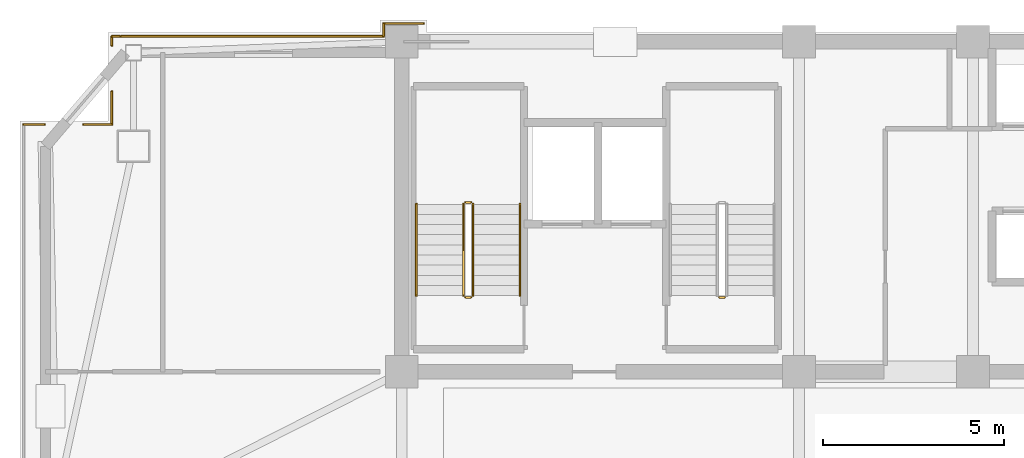
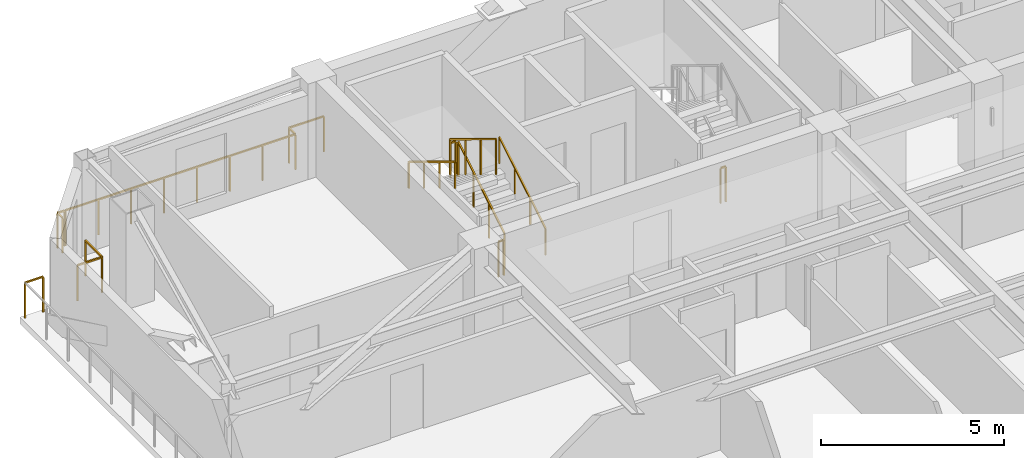
# One storey, part 13 of 15: 15 railings.
"""IFC4 building model written with IfcOpenShell, lengths in metres."""

from ifc_helpers import new_model, si_unit, direction, frame, origin, origin_2d, place, context, subcontext, project, spatial, rectangle, extrude, material, type_object, element, save


model = new_model("IFC4")

# Units and contexts
model_context = context("Model", 3, precision=1e-05, world=origin(), true_north=direction((0.0, 1.0)))
body_context = subcontext(model_context, "Body", "Model", "MODEL_VIEW")
ifc_project = project(units=[si_unit("LENGTHUNIT", "METRE"), si_unit("AREAUNIT", "SQUARE_METRE"), si_unit("VOLUMEUNIT", "CUBIC_METRE"), si_unit("PLANEANGLEUNIT", "RADIAN"), si_unit("MASSUNIT", "GRAM", prefix="KILO")], contexts=[model_context])

# Site, building, storey
site_placement = place(None, origin())
site = spatial("IfcSite", under=ifc_project, at=site_placement, CompositionType="ELEMENT")
building_placement = place(site_placement, origin())
building = spatial("IfcBuilding", under=site, at=building_placement, Name="Giltprow Tower", CompositionType="ELEMENT")
storey_placement = place(building_placement, frame((0.0, 0.0, 293.800048828125)))
storey = spatial("IfcBuildingStorey", under=building, at=storey_placement, Name="L75", CompositionType="ELEMENT", Elevation=293.800048828125)

# Railings
ifc_material = material(Name="Anodized bronze", Category="metal")
railing_type_1 = type_object("IfcRailingType", Name="RAIL-BALC-GUARD-1200", PredefinedType="BALUSTRADE", material=ifc_material)
railing_1_placement = place(storey_placement, frame((9.424072265625, 44.27001953125, 0.0)))
element("IfcRailing", 1, at=railing_1_placement, inside=storey, type_object=railing_type_1, Name="L75 Corner Apron Edge Balustrade 14", PredefinedType="BALUSTRADE", context=body_context, shape_type="SweptSolid", body=[
    extrude(rectangle(XDim=0.048095703125, YDim=0.048095703125, at=origin_2d()), frame((0.0, 0.0, 1.17578125), z_axis=(1.0, 0.0, 0.0), x_axis=(0.0, 1.0, 0.0)), (0.0, 0.0, 1.0), 0.573974609375),
    extrude(rectangle(XDim=0.0419921875, YDim=0.0419921875, at=origin_2d()), origin(), (0.0, 0.0, 1.0), 1.15185546875),
    extrude(rectangle(XDim=0.0419921875, YDim=0.0419921875, at=origin_2d()), frame((0.573974609375, 0.0, 0.0)), (0.0, 0.0, 1.0), 1.15185546875),
])
railing_2_placement = place(storey_placement, frame((11.076904296875, 44.27001953125, 0.0)))
element("IfcRailing", 2, at=railing_2_placement, inside=storey, type_object=railing_type_1, Name="L75 Corner Apron Edge Balustrade 15", PredefinedType="BALUSTRADE", context=body_context, shape_type="SweptSolid", body=[
    extrude(rectangle(XDim=0.048095703125, YDim=0.048095703125, at=origin_2d()), frame((0.0, 0.0, 1.17578125), z_axis=(1.0, 0.0, 0.0), x_axis=(0.0, 1.0, 0.0)), (0.0, 0.0, 1.0), 0.778076171875),
    extrude(rectangle(XDim=0.0419921875, YDim=0.0419921875, at=origin_2d()), origin(), (0.0, 0.0, 1.0), 1.15185546875),
    extrude(rectangle(XDim=0.0419921875, YDim=0.0419921875, at=origin_2d()), frame((0.778076171875, 0.0, 0.0)), (0.0, 0.0, 1.0), 1.15185546875),
])
railing_3_placement = place(storey_placement, frame((11.85498046875, 44.27001953125, 0.0)))
element("IfcRailing", 3, at=railing_3_placement, inside=storey, type_object=railing_type_1, Name="L75 Corner Apron Edge Balustrade 16", PredefinedType="BALUSTRADE", context=body_context, shape_type="SweptSolid", body=[
    extrude(rectangle(XDim=0.048095703125, YDim=0.048095703125, at=origin_2d()), frame((0.0, 0.0, 1.17578125), z_axis=(0.0, 1.0, 0.0), x_axis=(-1.0, 0.0, 0.0)), (0.0, 0.0, 1.0), 0.909912109375),
    extrude(rectangle(XDim=0.0419921875, YDim=0.0419921875, at=origin_2d()), origin(), (0.0, 0.0, 1.0), 1.15185546875),
    extrude(rectangle(XDim=0.0419921875, YDim=0.0419921875, at=origin_2d()), frame((0.0, 0.909912109375, 0.0)), (0.0, 0.0, 1.0), 1.15185546875),
])
railing_4_placement = place(storey_placement, frame((11.85498046875, 46.44189453125, 0.0)))
element("IfcRailing", 4, at=railing_4_placement, inside=storey, type_object=railing_type_1, Name="L75 Corner Apron Edge Balustrade 17", PredefinedType="BALUSTRADE", context=body_context, shape_type="SweptSolid", body=[
    extrude(rectangle(XDim=0.048095703125, YDim=0.048095703125, at=origin_2d()), frame((0.0, 0.0, 1.17578125), z_axis=(0.0, 1.0, 0.0), x_axis=(-1.0, 0.0, 0.0)), (0.0, 0.0, 1.0), 0.258056640625),
    extrude(rectangle(XDim=0.0419921875, YDim=0.0419921875, at=origin_2d()), origin(), (0.0, 0.0, 1.0), 1.15185546875),
    extrude(rectangle(XDim=0.0419921875, YDim=0.0419921875, at=origin_2d()), frame((0.0, 0.258056640625, 0.0)), (0.0, 0.0, 1.0), 1.15185546875),
])
railing_5_placement = place(storey_placement, frame((11.85498046875, 46.699951171875, 0.0)))
element("IfcRailing", 5, at=railing_5_placement, inside=storey, type_object=railing_type_1, Name="L75 Corner Apron Edge Balustrade 18", PredefinedType="BALUSTRADE", context=body_context, shape_type="SweptSolid", body=[
    extrude(rectangle(XDim=0.048095703125, YDim=0.048095703125, at=origin_2d()), frame((0.0, 0.0, 1.17578125), z_axis=(1.0, 0.0, 0.0), x_axis=(0.0, 1.0, 0.0)), (0.0, 0.0, 1.0), 0.219970703125),
    extrude(rectangle(XDim=0.0419921875, YDim=0.0419921875, at=origin_2d()), origin(), (0.0, 0.0, 1.0), 1.15185546875),
    extrude(rectangle(XDim=0.0419921875, YDim=0.0419921875, at=origin_2d()), frame((0.219970703125, 0.0, 0.0)), (0.0, 0.0, 1.0), 1.15185546875),
])
railing_6_placement = place(storey_placement, frame((12.10400390625, 46.699951171875, 0.0)))
element("IfcRailing", 6, at=railing_6_placement, inside=storey, type_object=railing_type_1, Name="L75 Corner Apron Edge Balustrade 19", PredefinedType="BALUSTRADE", context=body_context, shape_type="SweptSolid", body=[
    extrude(rectangle(XDim=0.048095703125, YDim=0.048095703125, at=origin_2d()), frame((0.0, 0.0, 1.17578125), z_axis=(1.0, 0.0, 0.0), x_axis=(0.0, 1.0, 0.0)), (0.0, 0.0, 1.0), 7.24609375),
    extrude(rectangle(XDim=0.0419921875, YDim=0.0419921875, at=origin_2d()), origin(), (0.0, 0.0, 1.0), 1.15185546875),
    extrude(rectangle(XDim=0.0419921875, YDim=0.0419921875, at=origin_2d()), frame((1.03515625, 0.0, 0.0)), (0.0, 0.0, 1.0), 1.15185546875),
    extrude(rectangle(XDim=0.0419921875, YDim=0.0419921875, at=origin_2d()), frame((2.0703125, 0.0, 0.0)), (0.0, 0.0, 1.0), 1.15185546875),
    extrude(rectangle(XDim=0.0419921875, YDim=0.0419921875, at=origin_2d()), frame((3.10546875, 0.0, 0.0)), (0.0, 0.0, 1.0), 1.15185546875),
    extrude(rectangle(XDim=0.0419921875, YDim=0.0419921875, at=origin_2d()), frame((4.140625, 0.0, 0.0)), (0.0, 0.0, 1.0), 1.15185546875),
    extrude(rectangle(XDim=0.0419921875, YDim=0.0419921875, at=origin_2d()), frame((5.17578125, 0.0, 0.0)), (0.0, 0.0, 1.0), 1.15185546875),
    extrude(rectangle(XDim=0.0419921875, YDim=0.0419921875, at=origin_2d()), frame((6.2109375, 0.0, 0.0)), (0.0, 0.0, 1.0), 1.15185546875),
    extrude(rectangle(XDim=0.0419921875, YDim=0.0419921875, at=origin_2d()), frame((7.24609375, 0.0, 0.0)), (0.0, 0.0, 1.0), 1.15185546875),
])
railing_7_placement = place(storey_placement, frame((19.35009765625, 46.699951171875, 0.0)))
element("IfcRailing", 7, at=railing_7_placement, inside=storey, type_object=railing_type_1, Name="L75 Corner Apron Edge Balustrade 20", PredefinedType="BALUSTRADE", context=body_context, shape_type="SweptSolid", body=[
    extrude(rectangle(XDim=0.048095703125, YDim=0.048095703125, at=origin_2d()), frame((0.0, 0.0, 1.17578125), z_axis=(0.0, 1.0, 0.0), x_axis=(-1.0, 0.0, 0.0)), (0.0, 0.0, 1.0), 0.35009765625),
    extrude(rectangle(XDim=0.0419921875, YDim=0.0419921875, at=origin_2d()), origin(), (0.0, 0.0, 1.0), 1.15185546875),
    extrude(rectangle(XDim=0.0419921875, YDim=0.0419921875, at=origin_2d()), frame((0.0, 0.35009765625, 0.0)), (0.0, 0.0, 1.0), 1.15185546875),
])
railing_8_placement = place(storey_placement, frame((19.35009765625, 47.050048828125, 0.0)))
element("IfcRailing", 8, at=railing_8_placement, inside=storey, type_object=railing_type_1, Name="L75 Corner Apron Edge Balustrade 21", PredefinedType="BALUSTRADE", context=body_context, shape_type="SweptSolid", body=[
    extrude(rectangle(XDim=0.048095703125, YDim=0.048095703125, at=origin_2d()), frame((0.0, 0.0, 1.17578125), z_axis=(1.0, 0.0, 0.0), x_axis=(0.0, 1.0, 0.0)), (0.0, 0.0, 1.0), 1.099853515625),
    extrude(rectangle(XDim=0.0419921875, YDim=0.0419921875, at=origin_2d()), origin(), (0.0, 0.0, 1.0), 1.15185546875),
    extrude(rectangle(XDim=0.0419921875, YDim=0.0419921875, at=origin_2d()), frame((1.099853515625, 0.0, 0.0)), (0.0, 0.0, 1.0), 1.15185546875),
])
railing_type_2 = type_object("IfcRailingType", Name="RAIL-STAIR-GUARD-1200", PredefinedType="GUARDRAIL", material=ifc_material)
railing_9_placement = place(storey_placement, frame((21.81005859375, 39.550048828125, 0.169921875)))
element("IfcRailing", 9, at=railing_9_placement, inside=storey, type_object=railing_type_2, Name="L75 ST-1 stair guard 1", PredefinedType="GUARDRAIL", context=body_context, shape_type="SweptSolid", body=[
    extrude(rectangle(XDim=0.048095703125, YDim=0.048095703125, at=origin_2d()), frame((0.0, 0.0, 1.17578125), z_axis=(0.0, 0.85478489116, 0.518982456201), x_axis=(-1.0, 0.0, 0.0)), (0.0, 0.0, 1.0), 2.9482421875),
    extrude(rectangle(XDim=0.0419921875, YDim=0.0419921875, at=origin_2d()), origin(), (0.0, 0.0, 1.0), 1.15185546875),
    extrude(rectangle(XDim=0.0419921875, YDim=0.0419921875, at=origin_2d()), frame((0.0, 0.840087890625, 0.510009765625)), (0.0, 0.0, 1.0), 1.15185546875),
    extrude(rectangle(XDim=0.0419921875, YDim=0.0419921875, at=origin_2d()), frame((0.0, 1.679931640625, 1.02001953125)), (0.0, 0.0, 1.0), 1.15185546875),
    extrude(rectangle(XDim=0.0419921875, YDim=0.0419921875, at=origin_2d()), frame((0.0, 2.52001953125, 1.530029296875)), (0.0, 0.0, 1.0), 1.15185546875),
])
railing_10_placement = place(storey_placement, frame((21.760009765625, 42.1201171875, 1.699951171875)))
element("IfcRailing", 10, at=railing_10_placement, inside=storey, type_object=railing_type_2, Name="L75 ST-1 stair guard 2", PredefinedType="GUARDRAIL", context=body_context, shape_type="SweptSolid", body=[
    extrude(rectangle(XDim=0.048095703125, YDim=0.048095703125, at=origin_2d()), frame((0.0, 0.0, 1.17578125), z_axis=(-1.0, 0.0, 0.0), x_axis=(0.0, -1.0, 0.0)), (0.0, 0.0, 1.0), 0.159912109375),
    extrude(rectangle(XDim=0.0419921875, YDim=0.0419921875, at=origin_2d()), origin(), (0.0, 0.0, 1.0), 1.15185546875),
    extrude(rectangle(XDim=0.0419921875, YDim=0.0419921875, at=origin_2d()), frame((-0.159912109375, 0.0, 0.0)), (0.0, 0.0, 1.0), 1.15185546875),
])
railing_11_placement = place(storey_placement, frame((21.550048828125, 42.070068359375, 1.869873046875)))
element("IfcRailing", 11, at=railing_11_placement, inside=storey, type_object=railing_type_2, Name="L75 ST-1 stair guard 3", PredefinedType="GUARDRAIL", context=body_context, shape_type="SweptSolid", body=[
    extrude(rectangle(XDim=0.048095703125, YDim=0.048095703125, at=origin_2d()), frame((0.0, 0.0, 1.17578125), z_axis=(0.0, -0.85478489116, 0.518982456201), x_axis=(1.0, 0.0, 0.0)), (0.0, 0.0, 1.0), 2.9482421875),
    extrude(rectangle(XDim=0.0419921875, YDim=0.0419921875, at=origin_2d()), origin(), (0.0, 0.0, 1.0), 1.15185546875),
    extrude(rectangle(XDim=0.0419921875, YDim=0.0419921875, at=origin_2d()), frame((0.0, -0.840087890625, 0.510009765625)), (0.0, 0.0, 1.0), 1.15185546875),
    extrude(rectangle(XDim=0.0419921875, YDim=0.0419921875, at=origin_2d()), frame((0.0, -1.679931640625, 1.02001953125)), (0.0, 0.0, 1.0), 1.15185546875),
    extrude(rectangle(XDim=0.0419921875, YDim=0.0419921875, at=origin_2d()), frame((0.0, -2.52001953125, 1.530029296875)), (0.0, 0.0, 1.0), 1.15185546875),
])
for number, where, name in (
    (12, (21.760009765625, 39.5, 0.0), "L75 ST-1 stair guard 4"),
    (13, (28.760009765625, 39.5, 0.0), "L75 ST-2 stair guard 4"),
):
    element("IfcRailing", number, at=place(storey_placement, frame(where)), inside=storey, type_object=railing_type_2, Name=name, PredefinedType="GUARDRAIL", context=body_context, shape_type="SweptSolid", body=[
        extrude(rectangle(XDim=0.048095703125, YDim=0.048095703125, at=origin_2d()), frame((0.0, 0.0, 1.17578125), z_axis=(-1.0, 0.0, 0.0), x_axis=(0.0, -1.0, 0.0)), (0.0, 0.0, 1.0), 0.159912109375),
        extrude(rectangle(XDim=0.0419921875, YDim=0.0419921875, at=origin_2d()), origin(), (0.0, 0.0, 1.0), 1.15185546875),
        extrude(rectangle(XDim=0.0419921875, YDim=0.0419921875, at=origin_2d()), frame((-0.159912109375, 0.0, 0.0)), (0.0, 0.0, 1.0), 1.15185546875),
    ])
railing_type_3 = type_object("IfcRailingType", Name="RAIL-STAIR-HAND-900", PredefinedType="HANDRAIL", material=ifc_material)
railing_12_placement = place(storey_placement, frame((23.110107421875, 39.550048828125, 0.169921875)))
element("IfcRailing", 14, at=railing_12_placement, inside=storey, type_object=railing_type_3, Name="L75 ST-1 stair handrail 1", PredefinedType="HANDRAIL", context=body_context, shape_type="SweptSolid", body=[
    extrude(rectangle(XDim=0.048095703125, YDim=0.048095703125, at=origin_2d()), frame((0.0, 0.0, 0.8759765625), z_axis=(0.0, 0.85478489116, 0.518982456201), x_axis=(-1.0, 0.0, 0.0)), (0.0, 0.0, 1.0), 2.9482421875),
    extrude(rectangle(XDim=0.0419921875, YDim=0.0419921875, at=origin_2d()), origin(), (0.0, 0.0, 1.0), 0.851806640625),
    extrude(rectangle(XDim=0.0419921875, YDim=0.0419921875, at=origin_2d()), frame((0.0, 0.840087890625, 0.510009765625)), (0.0, 0.0, 1.0), 0.851806640625),
    extrude(rectangle(XDim=0.0419921875, YDim=0.0419921875, at=origin_2d()), frame((0.0, 1.679931640625, 1.02001953125)), (0.0, 0.0, 1.0), 0.851806640625),
    extrude(rectangle(XDim=0.0419921875, YDim=0.0419921875, at=origin_2d()), frame((0.0, 2.52001953125, 1.530029296875)), (0.0, 0.0, 1.0), 0.851806640625),
])
railing_13_placement = place(storey_placement, frame((20.25, 42.070068359375, 1.869873046875)))
element("IfcRailing", 15, at=railing_13_placement, inside=storey, type_object=railing_type_3, Name="L75 ST-1 stair handrail 2", PredefinedType="HANDRAIL", context=body_context, shape_type="SweptSolid", body=[
    extrude(rectangle(XDim=0.048095703125, YDim=0.048095703125, at=origin_2d()), frame((0.0, 0.0, 0.8759765625), z_axis=(0.0, -0.85478489116, 0.518982456201), x_axis=(1.0, 0.0, 0.0)), (0.0, 0.0, 1.0), 2.9482421875),
    extrude(rectangle(XDim=0.0419921875, YDim=0.0419921875, at=origin_2d()), origin(), (0.0, 0.0, 1.0), 0.851806640625),
    extrude(rectangle(XDim=0.0419921875, YDim=0.0419921875, at=origin_2d()), frame((0.0, -0.840087890625, 0.510009765625)), (0.0, 0.0, 1.0), 0.851806640625),
    extrude(rectangle(XDim=0.0419921875, YDim=0.0419921875, at=origin_2d()), frame((0.0, -1.679931640625, 1.02001953125)), (0.0, 0.0, 1.0), 0.851806640625),
    extrude(rectangle(XDim=0.0419921875, YDim=0.0419921875, at=origin_2d()), frame((0.0, -2.52001953125, 1.530029296875)), (0.0, 0.0, 1.0), 0.851806640625),
])

save(model, "model.ifc")
